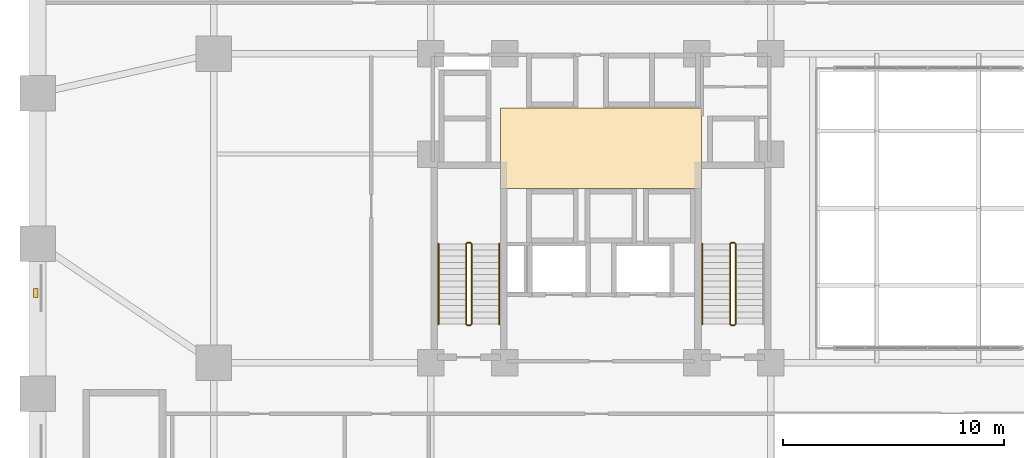
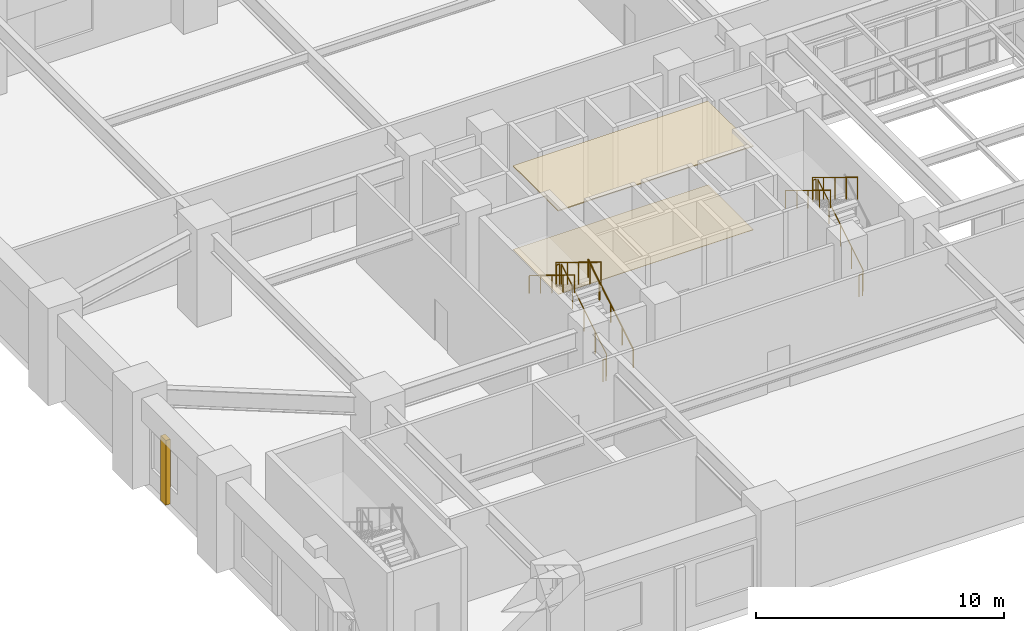
# One storey, part 9 of 11: 11 railings, 3 coverings.
"""IFC4 building model written with IfcOpenShell, lengths in metres."""

import ifcopenshell
import ifcopenshell.guid

model = None  # the IFC model being written
_history = None  # IfcOwnerHistory: only IFC2X3 demands one
_inside = {}  # id of a spatial element -> (the spatial element, [elements in it])
_under = {}  # id of a project, library or spatial element -> (it, [spatial elements below it])
_declared = {}  # id of a project -> (the project, [libraries it declares])
_typed = {}  # id of a type object -> (the type object, [elements of that type])
_made_of = {}  # id of a material, layer set ... -> (it, [elements and type objects made of it])


def new_model(schema):
    """Start an empty IFC model of exactly this schema.

    Asked for "IFC4X3", IfcOpenShell would pick the latest addendum, in which some entities
    have other attributes; the version numbers below select the first issue.
    IFC2X3 requires an IfcOwnerHistory on every rooted entity: one is made here for all.
    """
    global model, _history
    if schema == "IFC4X3":
        model = ifcopenshell.file(schema_version=(4, 3, 0, 0))
    else:
        model = ifcopenshell.file(schema=schema)
    _inside.clear()
    _under.clear()
    _declared.clear()
    _typed.clear()
    _made_of.clear()
    _history = None
    if model.schema == "IFC2X3":
        org = make("IfcOrganization", Name="unknown")
        user = make(
            "IfcPersonAndOrganization",
            ThePerson=make("IfcPerson", FamilyName="unknown"),
            TheOrganization=org,
        )
        app = make(
            "IfcApplication",
            ApplicationDeveloper=org,
            Version="unknown",
            ApplicationFullName="unknown",
            ApplicationIdentifier="unknown",
        )
        _history = make(
            "IfcOwnerHistory",
            OwningUser=user,
            OwningApplication=app,
            ChangeAction="ADDED",
            CreationDate=0,
        )
    return model


def make(cls, **values):
    """One entity of the class cls with the attributes given. An attribute that is None is left unset."""
    return model.create_entity(
        cls, **{name: value for name, value in values.items() if value is not None}
    )


def rooted(cls, **values):
    """An entity with a GlobalId (a new one), such as an element, a storey or a relation."""
    return make(cls, GlobalId=ifcopenshell.guid.new(), OwnerHistory=_history, **values)


def si_unit(unit_type, name, prefix=None):
    """IfcSIUnit, for example si_unit("LENGTHUNIT", "METRE", prefix="MILLI")."""
    return make("IfcSIUnit", UnitType=unit_type, Prefix=prefix, Name=name)


def derived_unit(unit_type, elements):
    """IfcDerivedUnit: a product of units, each with its exponent."""
    return make(
        "IfcDerivedUnit",
        Elements=[
            make("IfcDerivedUnitElement", Unit=unit, Exponent=power)
            for unit, power in elements
        ],
        UnitType=unit_type,
    )


def assignment(units):
    """IfcUnitAssignment: the units of a project."""
    return None if units is None else make("IfcUnitAssignment", Units=units)


def point(xyz):
    """IfcCartesianPoint."""
    return None if xyz is None else make("IfcCartesianPoint", Coordinates=xyz)


def direction(xyz):
    """IfcDirection."""
    return None if xyz is None else make("IfcDirection", DirectionRatios=xyz)


def frame(location, z_axis=None, x_axis=None):
    """IfcAxis2Placement3D, a coordinate frame: its origin and axes. An axis left out is left unset."""
    return make(
        "IfcAxis2Placement3D",
        Location=point(location),
        Axis=direction(z_axis),
        RefDirection=direction(x_axis),
    )


def frame_2d(location, x_axis=None):
    """IfcAxis2Placement2D, a coordinate frame in the plane: its origin and x axis."""
    return make(
        "IfcAxis2Placement2D", Location=point(location), RefDirection=direction(x_axis)
    )


def origin():
    """The frame at (0, 0, 0) with its axes left unset."""
    return frame((0.0, 0.0, 0.0))


def origin_2d():
    """The frame at (0, 0) in the plane with its x axis left unset."""
    return frame_2d((0.0, 0.0))


def place(relative_to, where):
    """IfcLocalPlacement: puts the frame where relative to a parent placement (None: the world)."""
    return make(
        "IfcLocalPlacement", PlacementRelTo=relative_to, RelativePlacement=where
    )


def context(
    kind, dimensions, precision=None, world=None, true_north=None, identifier=None
):
    """IfcGeometricRepresentationContext, for example the 3D "Model" context."""
    return make(
        "IfcGeometricRepresentationContext",
        ContextIdentifier=identifier,
        ContextType=kind,
        CoordinateSpaceDimension=dimensions,
        Precision=precision,
        WorldCoordinateSystem=world,
        TrueNorth=true_north,
    )


def subcontext(parent, identifier, kind, view, scale=None):
    """IfcGeometricRepresentationSubContext, for example "Body" below "Model"."""
    return make(
        "IfcGeometricRepresentationSubContext",
        ContextIdentifier=identifier,
        ContextType=kind,
        ParentContext=parent,
        TargetScale=scale,
        TargetView=view,
    )


def project(units=None, contexts=None):
    """IfcProject with its units and contexts."""
    return rooted(
        "IfcProject",
        Name="project",
        RepresentationContexts=contexts,
        UnitsInContext=assignment(units),
    )


def spatial(cls, under=None, at=None, **own):
    """A site, building, storey or space (cls), placed at a placement, below another one or the project."""
    s = rooted(cls, ObjectPlacement=at, **own)
    if under is not None:
        _under.setdefault(under.id(), (under, []))[1].append(s)
    return s


def polyline(points):
    """IfcPolyline through the points."""
    return make("IfcPolyline", Points=[point(p) for p in points])


def profile(cls, at=None, kind="AREA", **sizes):
    """A parametric profile (cls). Its sizes go by their IFC names, for example OverallWidth=200.0."""
    return make(cls, ProfileType=kind, Position=at, **sizes)


def rectangle(**sizes):
    """IfcRectangleProfileDef."""
    return profile("IfcRectangleProfileDef", **sizes)


def circle(**sizes):
    """IfcCircleProfileDef."""
    return profile("IfcCircleProfileDef", **sizes)


def outline(outer, holes=None, kind="AREA"):
    """IfcArbitraryClosedProfileDef: a profile drawn as a closed curve; with holes, ...WithVoids."""
    if holes is None:
        return make("IfcArbitraryClosedProfileDef", ProfileType=kind, OuterCurve=outer)
    return make(
        "IfcArbitraryProfileDefWithVoids",
        ProfileType=kind,
        OuterCurve=outer,
        InnerCurves=holes,
    )


def extrude(swept, where, along, depth):
    """IfcExtrudedAreaSolid: the profile swept, set in the frame where, extruded along a direction by depth."""
    return make(
        "IfcExtrudedAreaSolid",
        SweptArea=swept,
        Position=where,
        ExtrudedDirection=direction(along),
        Depth=depth,
    )


def shape(context_of_items, identifier, shape_type, items):
    """IfcShapeRepresentation: the items that make up one representation, for example the "Body"."""
    return make(
        "IfcShapeRepresentation",
        ContextOfItems=context_of_items,
        RepresentationIdentifier=identifier,
        RepresentationType=shape_type,
        Items=items,
    )


def material(Name=None, Category=None):
    """IfcMaterial."""
    return make("IfcMaterial", Name=Name, Category=Category)


def layer(
    of_material, thickness, ventilated=None, Name=None, Category=None, Priority=None
):
    """IfcMaterialLayer: one layer of a wall or slab, of a material (None: an air gap)."""
    return make(
        "IfcMaterialLayer",
        Material=of_material,
        LayerThickness=thickness,
        IsVentilated=ventilated,
        Name=Name,
        Category=Category,
        Priority=Priority,
    )


def layer_set(layers, Name=None):
    """IfcMaterialLayerSet."""
    return make("IfcMaterialLayerSet", MaterialLayers=layers, LayerSetName=Name)


def made_of(thing, what):
    """Note that an element or type object is made of a material, layer set ...; save() writes the relation."""
    if what is not None:
        _made_of.setdefault(what.id(), (what, []))[1].append(thing)
    return thing


def type_object(cls, material=None, **own):
    """A type object (cls), such as IfcWallType, which elements share."""
    return made_of(rooted(cls, **own), material)


def element(
    cls,
    number,
    at=None,
    inside=None,
    cuts=None,
    type_object=None,
    material=None,
    context=None,
    identifier="Body",
    shape_type=None,
    held_by="IfcProductDefinitionShape",
    body=None,
    shapes=None,
    **own,
):
    """One element of the class cls, such as IfcWall. Its Tag is "e" and its number.

    at: its placement. inside: the storey or other place that contains it. cuts: it is an
    opening in that element (IfcRelVoidsElement). A single representation is given by context,
    identifier, shape_type and body (its items); several are given by shapes. held_by: the class
    of the entity that holds the representations. save() writes the other relations.
    """
    e = rooted(cls, Tag="e%d" % number, ObjectPlacement=at, **own)
    if body is not None:
        shapes = [shape(context, identifier, shape_type, body)]
    if shapes is not None:
        e.Representation = make(held_by, Representations=shapes)
    if inside is not None:
        _inside.setdefault(inside.id(), (inside, []))[1].append(e)
    if cuts is not None:
        rooted(
            "IfcRelVoidsElement", RelatingBuildingElement=cuts, RelatedOpeningElement=e
        )
    if type_object is not None:
        _typed.setdefault(type_object.id(), (type_object, []))[1].append(e)
    return made_of(e, material)


def aggregate(whole, parts):
    """IfcRelAggregates: a whole, such as a stair, and the parts it consists of."""
    return rooted("IfcRelAggregates", RelatingObject=whole, RelatedObjects=parts)


def save(model, path):
    """Write the relations noted so far, then the file.

    IfcRelAggregates (storeys below a building ...), IfcRelContainedInSpatialStructure (elements
    in a storey), IfcRelDefinesByType, IfcRelAssociatesMaterial and IfcRelDeclares: one each for
    every whole, place, type object, material and project.
    """
    for whole, parts in _under.values():
        aggregate(whole, parts)
    for where, things in _inside.values():
        rooted(
            "IfcRelContainedInSpatialStructure",
            RelatedElements=things,
            RelatingStructure=where,
        )
    for kind, things in _typed.values():
        rooted("IfcRelDefinesByType", RelatedObjects=things, RelatingType=kind)
    for what, things in _made_of.values():
        rooted("IfcRelAssociatesMaterial", RelatedObjects=things, RelatingMaterial=what)
    for by, libraries in _declared.values():
        rooted("IfcRelDeclares", RelatingContext=by, RelatedDefinitions=libraries)
    model.write(path)


model = new_model("IFC4")

# Units and contexts
model_context = context("Model", 3, precision=1e-05, world=origin(), true_north=direction((0.0, 1.0)))
body_context = subcontext(model_context, "Body", "Model", "MODEL_VIEW")
ifc_project = project(units=[si_unit("LENGTHUNIT", "METRE"), si_unit("AREAUNIT", "SQUARE_METRE"), si_unit("VOLUMEUNIT", "CUBIC_METRE"), si_unit("PLANEANGLEUNIT", "RADIAN"), si_unit("MASSUNIT", "GRAM", prefix="KILO"), derived_unit("THERMALTRANSMITTANCEUNIT", [(si_unit("MASSUNIT", "GRAM", prefix="KILO"), 1), (si_unit("TIMEUNIT", "SECOND"), -3), (si_unit("THERMODYNAMICTEMPERATUREUNIT", "KELVIN"), -1)])], contexts=[model_context])

# Site, building, storey
site_placement = place(None, origin())
site = spatial("IfcSite", under=ifc_project, at=site_placement, CompositionType="ELEMENT")
building_placement = place(site_placement, origin())
building = spatial("IfcBuilding", under=site, at=building_placement, Name="Korrvale Station Residences", CompositionType="ELEMENT")
storey_placement = place(building_placement, frame((0.0, 0.0, 16.0)))
storey = spatial("IfcBuildingStorey", under=building, at=storey_placement, Name="L03", CompositionType="ELEMENT", Elevation=16.0)

# Coverings
ifc_material_1 = material(Name="Perforated acoustic mineral-fibre suspended ceiling", Category="gypsum")
ifc_layer_1 = layer(ifc_material_1, 0.050048828125, Name="Perforated acoustic mineral-fibre suspended ceiling")
ifc_layer_set_1 = layer_set([ifc_layer_1], Name="Perforated acoustic mineral-fibre suspended ceiling")
covering_type_1 = type_object("IfcCoveringType", Name="COV-CLG-AC60", PredefinedType="CEILING", material=ifc_layer_set_1)
covering_1_placement = place(storey_placement, frame((0.0, 0.0, 4.10009765625)))
element("IfcCovering", 1, at=covering_1_placement, inside=storey, type_object=covering_type_1, Name="L03 Elevator Lobby Acoustic Ceiling", PredefinedType="CEILING", context=body_context, shape_type="SweptSolid", body=[
    extrude(outline(polyline([(20.949951171875, 22.89990234375), (30.050048828125, 22.89990234375), (30.050048828125, 26.550048828125), (20.949951171875, 26.550048828125), (20.949951171875, 22.89990234375)])), origin(), (0.0, 0.0, 1.0), 0.0498046875),
])
ifc_material_2 = material(Name="Polished quartz-terrazzo lobby flooring", Category="masonry")
ifc_layer_2 = layer(ifc_material_2, 0.02001953125, Name="Polished quartz-terrazzo lobby flooring")
ifc_layer_set_2 = layer_set([ifc_layer_2], Name="Polished quartz-terrazzo lobby flooring")
covering_type_2 = type_object("IfcCoveringType", Name="COV-FLR-TER20", PredefinedType="FLOORING", material=ifc_layer_set_2)
covering_2_placement = place(storey_placement, origin())
element("IfcCovering", 2, at=covering_2_placement, inside=storey, type_object=covering_type_2, Name="L03 Elevator Lobby Terrazzo Flooring", PredefinedType="FLOORING", context=body_context, shape_type="SweptSolid", body=[
    extrude(outline(polyline([(20.949951171875, 22.89990234375), (30.050048828125, 22.89990234375), (30.050048828125, 26.550048828125), (20.949951171875, 26.550048828125), (20.949951171875, 22.89990234375)])), origin(), (0.0, 0.0, 1.0), 0.02001953125),
])
ifc_material_3 = material(Name="Architectural precast concrete C45/55", Category="concrete")
ifc_layer_3 = layer(ifc_material_3, 0.219970703125, Name="Architectural precast concrete C45/55")
ifc_layer_set_3 = layer_set([ifc_layer_3], Name="Architectural precast concrete C45/55")
covering_type_3 = type_object("IfcCoveringType", Name="COV-PIER-400", PredefinedType="CLADDING", material=ifc_layer_set_3)
covering_3_placement = place(storey_placement, frame((-0.090087890625, 18.159912109375, 0.02490234375), z_axis=(0.0, 0.0, 1.0), x_axis=(0.0, 1.0, 0.0)))
element("IfcCovering", 3, at=covering_3_placement, inside=storey, type_object=covering_type_3, Name="L03 Architectural Precast Facade Pier 15", PredefinedType="CLADDING", context=body_context, shape_type="SweptSolid", body=[
    extrude(rectangle(XDim=0.419921875, YDim=0.219970703125, at=origin_2d()), origin(), (0.0, 0.0, 1.0), 3.18505859375),
])

# Railings
ifc_material_4 = material(Name="Brushed stainless-steel continuous stair handrail", Category="steel")
railing_type_1 = type_object("IfcRailingType", Name="RLG-SHND-900", PredefinedType="HANDRAIL", material=ifc_material_4)
railing_1_placement = place(storey_placement, frame((20.89990234375, 16.75, 0.17138671875)))
element("IfcRailing", 4, at=railing_1_placement, inside=storey, type_object=railing_type_1, Name="L03 ST-1 stair handrail 1", PredefinedType="HANDRAIL", context=body_context, shape_type="SweptSolid", body=[
    extrude(circle(Radius=0.02392578125, at=origin_2d()), frame((0.0, 0.0, 0.8759765625), z_axis=(0.0, 0.852850264322, 0.5221555579), x_axis=(-1.0, 0.0, 0.0)), (0.0, 0.0, 1.0), 4.267822265625),
    extrude(circle(Radius=0.02099609375, at=origin_2d()), origin(), (0.0, 0.0, 1.0), 0.851806640625),
    extrude(circle(Radius=0.02099609375, at=origin_2d()), frame((0.0, 0.909912109375, 0.55712890625)), (0.0, 0.0, 1.0), 0.851806640625),
    extrude(circle(Radius=0.02099609375, at=origin_2d()), frame((0.0, 1.81982421875, 1.1142578125)), (0.0, 0.0, 1.0), 0.851806640625),
    extrude(circle(Radius=0.02099609375, at=origin_2d()), frame((0.0, 2.72998046875, 1.67138671875)), (0.0, 0.0, 1.0), 0.851806640625),
    extrude(circle(Radius=0.02099609375, at=origin_2d()), frame((0.0, 3.639892578125, 2.228515625)), (0.0, 0.0, 1.0), 0.851806640625),
])
for number, where, name in (
    (5, (18.14990234375, 20.389892578125, 2.571533203125), "L03 ST-1 stair handrail 2"),
    (6, (30.10009765625, 20.389892578125, 2.571533203125), "L03 ST-2 stair handrail 2"),
):
    element("IfcRailing", number, at=place(storey_placement, frame(where)), inside=storey, type_object=railing_type_1, Name=name, PredefinedType="HANDRAIL", context=body_context, shape_type="SweptSolid", body=[
        extrude(circle(Radius=0.02392578125, at=origin_2d()), frame((0.0, 0.0, 0.8759765625), z_axis=(0.0, -0.852850264322, 0.5221555579), x_axis=(1.0, 0.0, 0.0)), (0.0, 0.0, 1.0), 4.267822265625),
        extrude(circle(Radius=0.02099609375, at=origin_2d()), origin(), (0.0, 0.0, 1.0), 0.851806640625),
        extrude(circle(Radius=0.02099609375, at=origin_2d()), frame((0.0, -0.909912109375, 0.55712890625)), (0.0, 0.0, 1.0), 0.851806640625),
        extrude(circle(Radius=0.02099609375, at=origin_2d()), frame((0.0, -1.81982421875, 1.1142578125)), (0.0, 0.0, 1.0), 0.851806640625),
        extrude(circle(Radius=0.02099609375, at=origin_2d()), frame((0.0, -2.72998046875, 1.67138671875)), (0.0, 0.0, 1.0), 0.851806640625),
        extrude(circle(Radius=0.02099609375, at=origin_2d()), frame((0.0, -3.639892578125, 2.228515625)), (0.0, 0.0, 1.0), 0.851806640625),
    ])
ifc_material_5 = material(Name="Galvanised painted tubular steel stair guard", Category="steel")
railing_type_2 = type_object("IfcRailingType", Name="RLG-STR-1100", PredefinedType="GUARDRAIL", material=ifc_material_5)
railing_2_placement = place(storey_placement, frame((19.64990234375, 16.75, 0.17138671875)))
element("IfcRailing", 7, at=railing_2_placement, inside=storey, type_object=railing_type_2, Name="L03 ST-1 stair guard 1", PredefinedType="GUARDRAIL", context=body_context, shape_type="SweptSolid", body=[
    extrude(circle(Radius=0.02392578125, at=origin_2d()), frame((0.0, 0.0, 1.076171875), z_axis=(0.0, 0.852850264322, 0.5221555579), x_axis=(-1.0, 0.0, 0.0)), (0.0, 0.0, 1.0), 4.267822265625),
    extrude(circle(Radius=0.02099609375, at=origin_2d()), origin(), (0.0, 0.0, 1.0), 1.052001953125),
    extrude(circle(Radius=0.02099609375, at=origin_2d()), frame((0.0, 0.909912109375, 0.55712890625)), (0.0, 0.0, 1.0), 1.052001953125),
    extrude(circle(Radius=0.02099609375, at=origin_2d()), frame((0.0, 1.81982421875, 1.1142578125)), (0.0, 0.0, 1.0), 1.052001953125),
    extrude(circle(Radius=0.02099609375, at=origin_2d()), frame((0.0, 2.72998046875, 1.67138671875)), (0.0, 0.0, 1.0), 1.052001953125),
    extrude(circle(Radius=0.02099609375, at=origin_2d()), frame((0.0, 3.639892578125, 2.228515625)), (0.0, 0.0, 1.0), 1.052001953125),
])
railing_3_placement = place(storey_placement, frame((19.60009765625, 20.43994140625, 2.39990234375)))
element("IfcRailing", 8, at=railing_3_placement, inside=storey, type_object=railing_type_2, Name="L03 ST-1 stair guard 2", PredefinedType="GUARDRAIL", context=body_context, shape_type="SweptSolid", body=[
    extrude(circle(Radius=0.02392578125, at=origin_2d()), frame((0.0, 0.0, 1.076171875), z_axis=(-1.0, 0.0, 0.0), x_axis=(0.0, -1.0, 0.0)), (0.0, 0.0, 1.0), 0.150146484375),
    extrude(circle(Radius=0.02099609375, at=origin_2d()), origin(), (0.0, 0.0, 1.0), 1.052001953125),
    extrude(circle(Radius=0.02099609375, at=origin_2d()), frame((-0.150146484375, 0.0, 0.0)), (0.0, 0.0, 1.0), 1.052001953125),
])
railing_4_placement = place(storey_placement, frame((19.39990234375, 20.389892578125, 2.571533203125)))
element("IfcRailing", 9, at=railing_4_placement, inside=storey, type_object=railing_type_2, Name="L03 ST-1 stair guard 3", PredefinedType="GUARDRAIL", context=body_context, shape_type="SweptSolid", body=[
    extrude(circle(Radius=0.02392578125, at=origin_2d()), frame((0.0, 0.0, 1.076171875), z_axis=(0.0, -0.852850264322, 0.5221555579), x_axis=(1.0, 0.0, 0.0)), (0.0, 0.0, 1.0), 4.267822265625),
    extrude(circle(Radius=0.02099609375, at=origin_2d()), origin(), (0.0, 0.0, 1.0), 1.052001953125),
    extrude(circle(Radius=0.02099609375, at=origin_2d()), frame((0.0, -0.909912109375, 0.55712890625)), (0.0, 0.0, 1.0), 1.052001953125),
    extrude(circle(Radius=0.02099609375, at=origin_2d()), frame((0.0, -1.81982421875, 1.1142578125)), (0.0, 0.0, 1.0), 1.052001953125),
    extrude(circle(Radius=0.02099609375, at=origin_2d()), frame((0.0, -2.72998046875, 1.67138671875)), (0.0, 0.0, 1.0), 1.052001953125),
    extrude(circle(Radius=0.02099609375, at=origin_2d()), frame((0.0, -3.639892578125, 2.228515625)), (0.0, 0.0, 1.0), 1.052001953125),
])
railing_5_placement = place(storey_placement, frame((19.60009765625, 16.699951171875, 0.0)))
element("IfcRailing", 10, at=railing_5_placement, inside=storey, type_object=railing_type_2, Name="L03 ST-1 stair guard 4", PredefinedType="GUARDRAIL", context=body_context, shape_type="SweptSolid", body=[
    extrude(circle(Radius=0.02392578125, at=origin_2d()), frame((0.0, 0.0, 1.076171875), z_axis=(-1.0, 0.0, 0.0), x_axis=(0.0, -1.0, 0.0)), (0.0, 0.0, 1.0), 0.150146484375),
    extrude(circle(Radius=0.02099609375, at=origin_2d()), origin(), (0.0, 0.0, 1.0), 1.052001953125),
    extrude(circle(Radius=0.02099609375, at=origin_2d()), frame((-0.150146484375, 0.0, 0.0)), (0.0, 0.0, 1.0), 1.052001953125),
])
railing_6_placement = place(storey_placement, frame((31.60009765625, 16.75, 0.17138671875)))
element("IfcRailing", 11, at=railing_6_placement, inside=storey, type_object=railing_type_2, Name="L03 ST-2 stair guard 1", PredefinedType="GUARDRAIL", context=body_context, shape_type="SweptSolid", body=[
    extrude(circle(Radius=0.02392578125, at=origin_2d()), frame((0.0, 0.0, 1.076171875), z_axis=(0.0, 0.852850264322, 0.5221555579), x_axis=(-1.0, 0.0, 0.0)), (0.0, 0.0, 1.0), 4.267822265625),
    extrude(circle(Radius=0.02099609375, at=origin_2d()), origin(), (0.0, 0.0, 1.0), 1.052001953125),
    extrude(circle(Radius=0.02099609375, at=origin_2d()), frame((0.0, 0.909912109375, 0.55712890625)), (0.0, 0.0, 1.0), 1.052001953125),
    extrude(circle(Radius=0.02099609375, at=origin_2d()), frame((0.0, 1.81982421875, 1.1142578125)), (0.0, 0.0, 1.0), 1.052001953125),
    extrude(circle(Radius=0.02099609375, at=origin_2d()), frame((0.0, 2.72998046875, 1.67138671875)), (0.0, 0.0, 1.0), 1.052001953125),
    extrude(circle(Radius=0.02099609375, at=origin_2d()), frame((0.0, 3.639892578125, 2.228515625)), (0.0, 0.0, 1.0), 1.052001953125),
])
railing_7_placement = place(storey_placement, frame((31.550048828125, 20.43994140625, 2.39990234375)))
element("IfcRailing", 12, at=railing_7_placement, inside=storey, type_object=railing_type_2, Name="L03 ST-2 stair guard 2", PredefinedType="GUARDRAIL", context=body_context, shape_type="SweptSolid", body=[
    extrude(circle(Radius=0.02392578125, at=origin_2d()), frame((0.0, 0.0, 1.076171875), z_axis=(-1.0, 0.0, 0.0), x_axis=(0.0, -1.0, 0.0)), (0.0, 0.0, 1.0), 0.150146484375),
    extrude(circle(Radius=0.02099609375, at=origin_2d()), origin(), (0.0, 0.0, 1.0), 1.052001953125),
    extrude(circle(Radius=0.02099609375, at=origin_2d()), frame((-0.150146484375, 0.0, 0.0)), (0.0, 0.0, 1.0), 1.052001953125),
])
railing_8_placement = place(storey_placement, frame((31.35009765625, 20.389892578125, 2.571533203125)))
element("IfcRailing", 13, at=railing_8_placement, inside=storey, type_object=railing_type_2, Name="L03 ST-2 stair guard 3", PredefinedType="GUARDRAIL", context=body_context, shape_type="SweptSolid", body=[
    extrude(circle(Radius=0.02392578125, at=origin_2d()), frame((0.0, 0.0, 1.076171875), z_axis=(0.0, -0.852850264322, 0.5221555579), x_axis=(1.0, 0.0, 0.0)), (0.0, 0.0, 1.0), 4.267822265625),
    extrude(circle(Radius=0.02099609375, at=origin_2d()), origin(), (0.0, 0.0, 1.0), 1.052001953125),
    extrude(circle(Radius=0.02099609375, at=origin_2d()), frame((0.0, -0.909912109375, 0.55712890625)), (0.0, 0.0, 1.0), 1.052001953125),
    extrude(circle(Radius=0.02099609375, at=origin_2d()), frame((0.0, -1.81982421875, 1.1142578125)), (0.0, 0.0, 1.0), 1.052001953125),
    extrude(circle(Radius=0.02099609375, at=origin_2d()), frame((0.0, -2.72998046875, 1.67138671875)), (0.0, 0.0, 1.0), 1.052001953125),
    extrude(circle(Radius=0.02099609375, at=origin_2d()), frame((0.0, -3.639892578125, 2.228515625)), (0.0, 0.0, 1.0), 1.052001953125),
])
railing_9_placement = place(storey_placement, frame((31.550048828125, 16.699951171875, 0.0)))
element("IfcRailing", 14, at=railing_9_placement, inside=storey, type_object=railing_type_2, Name="L03 ST-2 stair guard 4", PredefinedType="GUARDRAIL", context=body_context, shape_type="SweptSolid", body=[
    extrude(circle(Radius=0.02392578125, at=origin_2d()), frame((0.0, 0.0, 1.076171875), z_axis=(-1.0, 0.0, 0.0), x_axis=(0.0, -1.0, 0.0)), (0.0, 0.0, 1.0), 0.150146484375),
    extrude(circle(Radius=0.02099609375, at=origin_2d()), origin(), (0.0, 0.0, 1.0), 1.052001953125),
    extrude(circle(Radius=0.02099609375, at=origin_2d()), frame((-0.150146484375, 0.0, 0.0)), (0.0, 0.0, 1.0), 1.052001953125),
])

save(model, "model.ifc")
